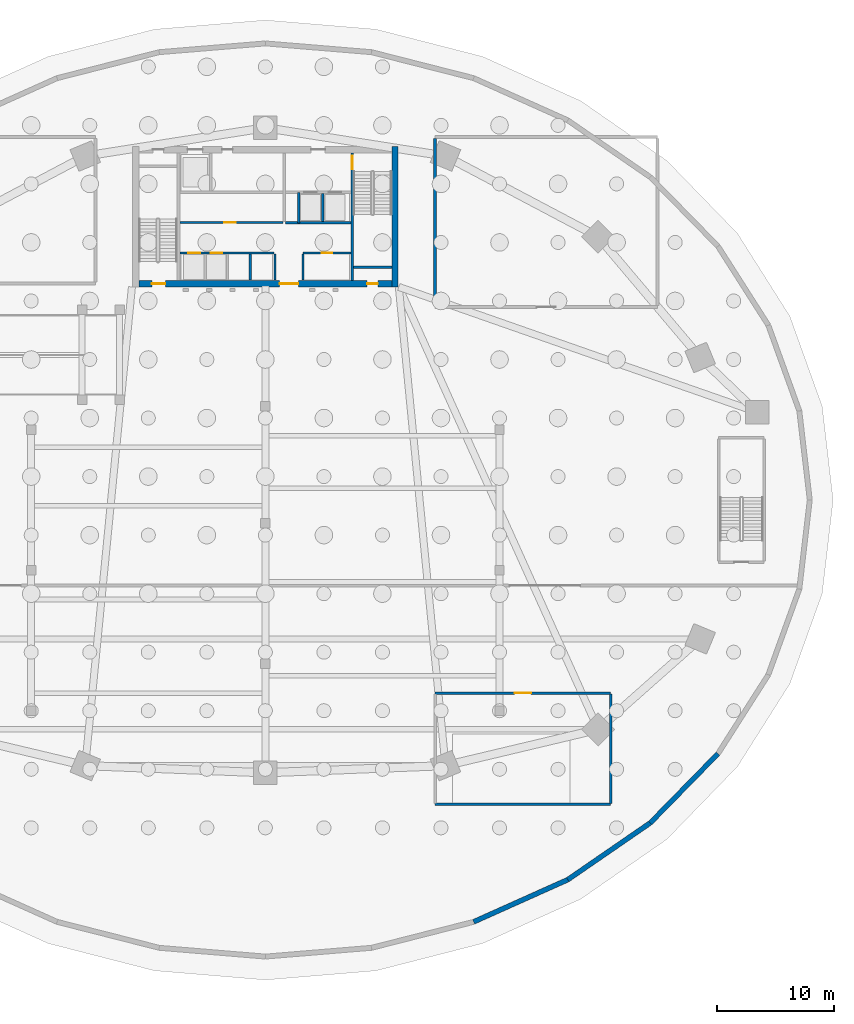
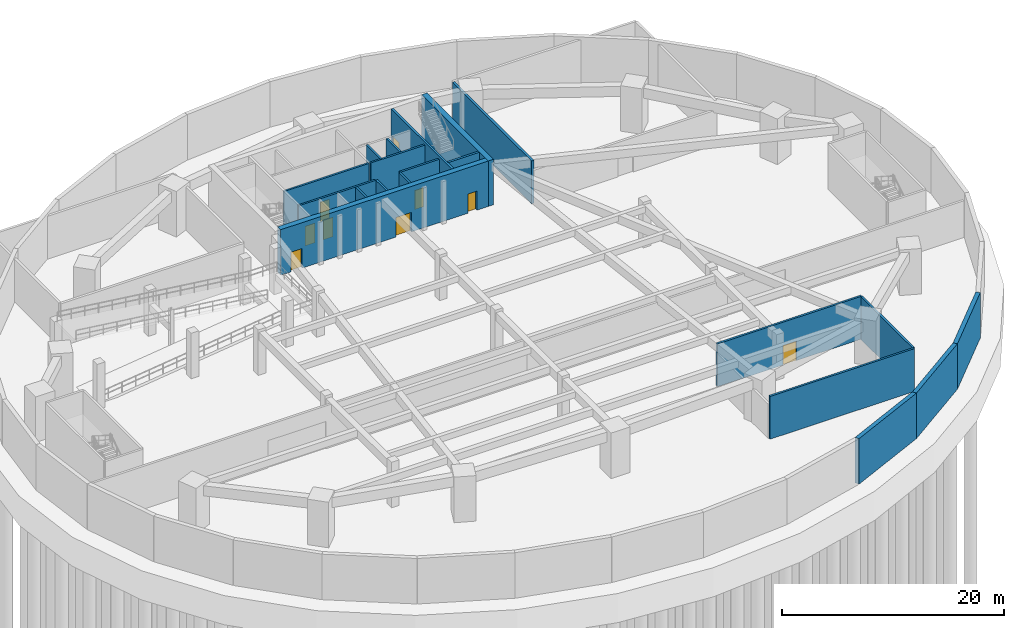
# One storey, part 5 of 11: 20 walls, 9 doors, 9 openings.
"""IFC4 building model written with IfcOpenShell, lengths in metres."""

from ifc_helpers import new_model, si_unit, direction, frame, frame_2d, origin, place, context, subcontext, project, spatial, rectangle, extrude, source, transform, mapped, material, layer, layer_set, type_object, type_shapes, element, fill, save


model = new_model("IFC4")

# Units and contexts
model_context = context("Model", 3, precision=1e-05, world=origin(), true_north=direction((0.0, 1.0)))
body_context = subcontext(model_context, "Body", "Model", "MODEL_VIEW")
ifc_project = project(units=[si_unit("LENGTHUNIT", "METRE"), si_unit("AREAUNIT", "SQUARE_METRE"), si_unit("VOLUMEUNIT", "CUBIC_METRE"), si_unit("PLANEANGLEUNIT", "RADIAN"), si_unit("MASSUNIT", "GRAM", prefix="KILO")], contexts=[model_context])

# Site, building, storey
site_placement = place(None, origin())
site = spatial("IfcSite", under=ifc_project, at=site_placement, CompositionType="ELEMENT")
building_placement = place(site_placement, origin())
building = spatial("IfcBuilding", under=site, at=building_placement, Name="Breltana Convention Tower", CompositionType="ELEMENT")
storey_placement = place(building_placement, frame((0.0, 0.0, -10.0)))
storey = spatial("IfcBuildingStorey", under=building, at=storey_placement, Name="B02", CompositionType="ELEMENT", Elevation=-10.0)

# Walls
ifc_material_1 = material(Name="Concrete C40/50", Category="concrete")
ifc_layer_1 = layer(ifc_material_1, 0.419921875, Name="Concrete C40/50")
ifc_layer_set_1 = layer_set([ifc_layer_1], Name="Concrete C40/50")
wall_type_1 = type_object("IfcWallType", Name="SW-BASE-420", PredefinedType="USERDEFINED", material=ifc_layer_set_1)
shared_shape_1 = source(origin(), body_context, "Body", "SweptSolid", [
    extrude(rectangle(XDim=8.268310546875, YDim=0.419921875, at=frame_2d((4.13427734375, 0.0))), origin(), (0.0, 0.0, 1.0), 5.0),
])
wall_1_placement = place(storey_placement, frame((80.880615234375, 14.4228515625, 0.0), z_axis=(0.0, 0.0, 1.0), x_axis=(0.699373198463, 0.714756692358, 0.0)))
element("IfcWall", 1, at=wall_1_placement, inside=storey, type_object=wall_type_1, Name="B02 Perimeter Retaining Wall 29", ObjectType="RETAININGWALL", PredefinedType="USERDEFINED", context=body_context, shape_type="MappedRepresentation", body=[
    mapped(shared_shape_1, transform((0.0, 0.0, 0.0), scale=1.0)),
])
shared_shape_2 = source(origin(), body_context, "Body", "SweptSolid", [
    extrude(rectangle(XDim=8.554443359375, YDim=0.419921875, at=frame_2d((4.27734375, 0.0))), origin(), (0.0, 0.0, 1.0), 5.0),
])
wall_2_placement = place(storey_placement, frame((73.833984375, 9.57275390625, 0.0), z_axis=(0.0, 0.0, 1.0), x_axis=(0.823739529001, 0.566968419192, 0.0)))
element("IfcWall", 2, at=wall_2_placement, inside=storey, type_object=wall_type_1, Name="B02 Perimeter Retaining Wall 28", ObjectType="RETAININGWALL", PredefinedType="USERDEFINED", context=body_context, shape_type="MappedRepresentation", body=[
    mapped(shared_shape_2, transform((0.0, 0.0, 0.0), scale=1.0)),
])
shared_shape_3 = source(origin(), body_context, "Body", "SweptSolid", [
    extrude(rectangle(XDim=8.81005859375, YDim=0.419921875, at=frame_2d((4.405029296875, 0.0))), origin(), (0.0, 0.0, 1.0), 5.0),
])
wall_3_placement = place(storey_placement, frame((65.794921875, 5.96875, 0.0), z_axis=(0.0, 0.0, 1.0), x_axis=(0.912497196731, 0.409082957305, 0.0)))
element("IfcWall", 3, at=wall_3_placement, inside=storey, type_object=wall_type_1, Name="B02 Perimeter Retaining Wall 27", ObjectType="RETAININGWALL", PredefinedType="USERDEFINED", context=body_context, shape_type="MappedRepresentation", body=[
    mapped(shared_shape_3, transform((0.0, 0.0, 0.0), scale=1.0)),
])
ifc_material_2 = material(Name="Concrete C60/75", Category="concrete")
ifc_layer_2 = layer(ifc_material_2, 0.550048828125, Name="Concrete C60/75")
ifc_layer_set_2 = layer_set([ifc_layer_2], Name="Concrete C60/75")
wall_type_2 = type_object("IfcWallType", Name="SW-CORE-550", PredefinedType="SHEAR", material=ifc_layer_set_2)
shared_shape_4 = source(origin(), body_context, "Body", "SweptSolid", [
    extrude(rectangle(XDim=12.0, YDim=0.550048828125, at=frame_2d((6.0, 0.0))), origin(), (0.0, 0.0, 1.0), 5.0),
])
type_shapes(wall_type_2, [shared_shape_4])
wall_4_placement = place(storey_placement, frame((59.074951171875, 60.199951171875, 0.0), z_axis=(0.0, 0.0, 1.0), x_axis=(0.0, 1.0, 0.0)))
element("IfcWall", 4, at=wall_4_placement, inside=storey, type_object=wall_type_2, Name="B02 East Core Shear Wall", PredefinedType="SHEAR", context=body_context, shape_type="MappedRepresentation", body=[
    mapped(shared_shape_4, transform((0.0, 0.0, 0.0), scale=1.0)),
])

# Wall, openings, doors
shared_shape_5 = source(origin(), body_context, "Body", "SweptSolid", [
    extrude(rectangle(XDim=21.60009765625, YDim=0.550048828125, at=frame_2d((10.800048828125, 0.0))), origin(), (0.0, 0.0, 1.0), 5.0),
])
wall_5_placement = place(storey_placement, frame((37.199951171875, 60.47509765625, 0.0), z_axis=(0.0, 0.0, 1.0), x_axis=(1.0, 0.0, 0.0)))
wall_5 = element("IfcWall", 5, at=wall_5_placement, inside=storey, type_object=wall_type_2, Name="B02 South Core Shear Wall", PredefinedType="SHEAR", context=body_context, shape_type="MappedRepresentation", body=[
    mapped(shared_shape_5, transform((0.0, 0.0, 0.0), scale=1.0)),
])
opening_1_placement = place(wall_5_placement, frame((1.10009765625, 0.0, 0.0)))
opening_1 = element("IfcOpeningElement", 6, at=opening_1_placement, cuts=wall_5, Name="Opening D-11", PredefinedType="OPENING", context=body_context, shape_type="SweptSolid", body=[
    extrude(rectangle(XDim=1.14990234375, YDim=2.14990234375, at=frame_2d((0.574951171875, 1.074951171875))), frame((0.0, 0.28515625, 0.0), z_axis=(0.0, -1.0, 0.0), x_axis=(1.0, 0.0, 0.0)), (0.0, 0.0, 1.0), 0.570068359375),
])
opening_2_placement = place(wall_5_placement, frame((19.5, 0.0, 0.0)))
opening_2 = element("IfcOpeningElement", 7, at=opening_2_placement, cuts=wall_5, Name="Opening D-18", PredefinedType="OPENING", context=body_context, shape_type="SweptSolid", body=[
    extrude(rectangle(XDim=0.89990234375, YDim=2.10009765625, at=frame_2d((0.449951171875, 1.050048828125))), frame((0.0, 0.28515625, 0.0), z_axis=(0.0, -1.0, 0.0), x_axis=(1.0, 0.0, 0.0)), (0.0, 0.0, 1.0), 0.570068359375),
])
opening_3_placement = place(wall_5_placement, frame((12.02001953125, 0.0, 0.0)))
opening_3 = element("IfcOpeningElement", 8, at=opening_3_placement, cuts=wall_5, Name="Opening D-02", PredefinedType="OPENING", context=body_context, shape_type="SweptSolid", body=[
    extrude(rectangle(XDim=1.60009765625, YDim=2.14990234375, at=frame_2d((0.800048828125, 1.074951171875))), frame((0.0, 0.28515625, 0.0), z_axis=(0.0, -1.0, 0.0), x_axis=(1.0, 0.0, 0.0)), (0.0, 0.0, 1.0), 0.570068359375),
])
ifc_material_3 = material(Name="Steel Stair Exit Door", Category="steel")
door_type_1 = type_object("IfcDoorType", Name="DR-FD120-1150", OperationType="NOTDEFINED", PredefinedType="DOOR", material=ifc_material_3)
shared_shape_6 = source(origin(), body_context, "Body", "SweptSolid", [
    extrude(rectangle(XDim=1.14990234375, YDim=2.14990234375, at=frame_2d((0.574951171875, 1.074951171875))), frame((0.0, 0.02490234375, 0.0), z_axis=(0.0, -1.0, 0.0), x_axis=(1.0, 0.0, 0.0)), (0.0, 0.0, 1.0), 0.050048828125),
])
type_shapes(door_type_1, [shared_shape_6])
door_1_placement = place(opening_1_placement, origin())
door_1 = element("IfcDoor", 9, at=door_1_placement, inside=storey, type_object=door_type_1, Name="B02 interior door D-B02-ST1", OperationType="SINGLE_SWING_LEFT", OverallHeight=2.14990234375, OverallWidth=1.14990234375, PredefinedType="DOOR", context=body_context, shape_type="MappedRepresentation", body=[
    mapped(shared_shape_6, transform((0.0, 0.0, 0.0), scale=1.0)),
])
fill(opening_1, door_1)
ifc_material_4 = material(Name="Steel Riser Fire Door", Category="steel")
door_type_2 = type_object("IfcDoorType", Name="DR-FD60-900", OperationType="NOTDEFINED", PredefinedType="DOOR", material=ifc_material_4)
shared_shape_7 = source(origin(), body_context, "Body", "SweptSolid", [
    extrude(rectangle(XDim=0.89990234375, YDim=2.10009765625, at=frame_2d((0.449951171875, 1.050048828125))), frame((0.0, 0.02490234375, 0.0), z_axis=(0.0, -1.0, 0.0), x_axis=(1.0, 0.0, 0.0)), (0.0, 0.0, 1.0), 0.050048828125),
])
type_shapes(door_type_2, [shared_shape_7])
door_2_placement = place(opening_2_placement, origin())
door_2 = element("IfcDoor", 10, at=door_2_placement, inside=storey, type_object=door_type_2, Name="B02 Core Riser Access Door D-B02-RS2", OperationType="SINGLE_SWING_RIGHT", OverallHeight=2.10009765625, OverallWidth=0.89990234375, PredefinedType="DOOR", context=body_context, shape_type="MappedRepresentation", body=[
    mapped(shared_shape_7, transform((0.0, 0.0, 0.0), scale=1.0)),
])
fill(opening_2, door_2)
ifc_material_5 = material(Name="Steel Glazed Smoke-Control Door", Category="steel")
door_type_3 = type_object("IfcDoorType", Name="DR-DBL-FD90-1600", OperationType="DOUBLE_DOOR_SINGLE_SWING", PredefinedType="DOOR", material=ifc_material_5)
shared_shape_8 = source(origin(), body_context, "Body", "SweptSolid", [
    extrude(rectangle(XDim=1.60009765625, YDim=2.14990234375, at=frame_2d((0.800048828125, 1.074951171875))), frame((0.0, 0.02490234375, 0.0), z_axis=(0.0, -1.0, 0.0), x_axis=(1.0, 0.0, 0.0)), (0.0, 0.0, 1.0), 0.050048828125),
])
type_shapes(door_type_3, [shared_shape_8])
door_3_placement = place(opening_3_placement, origin())
door_3 = element("IfcDoor", 11, at=door_3_placement, inside=storey, type_object=door_type_3, Name="B02 interior door D-B02-LLB-S", OperationType="DOUBLE_DOOR_SINGLE_SWING", OverallHeight=2.14990234375, OverallWidth=1.60009765625, PredefinedType="DOOR", context=body_context, shape_type="MappedRepresentation", body=[
    mapped(shared_shape_8, transform((0.0, 0.0, 0.0), scale=1.0)),
])
fill(opening_3, door_3)

# Wall
ifc_material_6 = material(Name="Concrete C50/60", Category="concrete")
ifc_layer_3 = layer(ifc_material_6, 0.39990234375, Name="Concrete C50/60")
ifc_layer_set_3 = layer_set([ifc_layer_3], Name="Concrete C50/60")
wall_type_3 = type_object("IfcWallType", Name="SW-CORE-400", PredefinedType="SHEAR", material=ifc_layer_set_3)
shared_shape_9 = source(origin(), body_context, "Body", "SweptSolid", [
    extrude(rectangle(XDim=3.27001953125, YDim=0.219970703125, at=frame_2d((1.635009765625, 0.0))), origin(), (0.0, 0.0, 1.0), 5.0),
])
type_shapes(wall_type_3, [shared_shape_9])
wall_6_placement = place(storey_placement, frame((55.530029296875, 61.889892578125, 0.0), z_axis=(0.0, 0.0, 1.0), x_axis=(1.0, 0.0, 0.0)))
element("IfcWall", 12, at=wall_6_placement, inside=storey, type_object=wall_type_3, Name="B02 ST-2 Stairwell South Bearing Wall", PredefinedType="SHEAR", context=body_context, shape_type="MappedRepresentation", body=[
    mapped(shared_shape_9, transform((0.0, 0.0, 0.0), scale=1.0)),
])

# Wall, opening, door
shared_shape_10 = source(origin(), body_context, "Body", "SweptSolid", [
    extrude(rectangle(XDim=10.89990234375, YDim=0.219970703125, at=frame_2d((5.449951171875, 0.0))), origin(), (0.0, 0.0, 1.0), 5.0),
])
wall_7_placement = place(storey_placement, frame((55.419921875, 60.75, 0.0), z_axis=(0.0, 0.0, 1.0), x_axis=(0.0, 1.0, 0.0)))
wall_7 = element("IfcWall", 13, at=wall_7_placement, inside=storey, type_object=wall_type_3, Name="B02 Core East Stair Spine Wall", PredefinedType="SHEAR", context=body_context, shape_type="MappedRepresentation", body=[
    mapped(shared_shape_10, transform((0.0, 0.0, 0.0), scale=1.0)),
])
opening_4_placement = place(wall_7_placement, frame((9.4951171875, 0.0, 0.0)))
opening_4 = element("IfcOpeningElement", 14, at=opening_4_placement, cuts=wall_7, Name="Opening D-11", PredefinedType="OPENING", context=body_context, shape_type="SweptSolid", body=[
    extrude(rectangle(XDim=1.14990234375, YDim=2.14990234375, at=frame_2d((0.574951171875, 1.074951171875))), frame((0.0, 0.1201171875, 0.0), z_axis=(0.0, -1.0, 0.0), x_axis=(1.0, 0.0, 0.0)), (0.0, 0.0, 1.0), 0.239990234375),
])
door_4_placement = place(opening_4_placement, origin())
door_4 = element("IfcDoor", 15, at=door_4_placement, inside=storey, type_object=door_type_1, Name="B02 interior door D-B02-ST2", OperationType="SINGLE_SWING_LEFT", OverallHeight=2.14990234375, OverallWidth=1.14990234375, PredefinedType="DOOR", context=body_context, shape_type="MappedRepresentation", body=[
    mapped(shared_shape_6, transform((0.0, 0.0, 0.0), scale=1.0)),
])
fill(opening_4, door_4)

# Walls
ifc_material_7 = material(Name="Autoclaved Aerated Concrete Block", Category="concrete")
ifc_layer_4 = layer(ifc_material_7, 0.199951171875, Name="Autoclaved Aerated Concrete Block")
ifc_layer_set_4 = layer_set([ifc_layer_4], Name="Autoclaved Aerated Concrete Block")
wall_type_4 = type_object("IfcWallType", Name="WL-SHAFT-200", PredefinedType="SOLIDWALL", material=ifc_layer_set_4)
shared_shape_11 = source(origin(), body_context, "Body", "SweptSolid", [
    extrude(rectangle(XDim=2.239990234375, YDim=0.199951171875, at=frame_2d((1.1201171875, 0.0))), origin(), (0.0, 0.0, 1.0), 4.699951171875),
])
type_shapes(wall_type_4, [shared_shape_11])
for number, where, z_axis, x_axis, name in (
    (16, (48.820068359375, 60.780029296875, 0.0), (0.0, 0.0, 1.0), (0.0, 1.0, 0.0), "B02 interior partition W-B02-PORT-W"),
    (17, (51.219970703125, 60.780029296875, 0.0), (0.0, 0.0, 1.0), (0.0, 1.0, 0.0), "B02 interior partition W-B02-PORT-E"),
):
    element("IfcWall", number, at=place(storey_placement, frame(where, z_axis=z_axis, x_axis=x_axis)), inside=storey, type_object=wall_type_4, Name=name, PredefinedType="SOLIDWALL", context=body_context, shape_type="MappedRepresentation", body=[
        mapped(shared_shape_11, transform((0.0, 0.0, 0.0), scale=1.0)),
    ])
shared_shape_12 = source(origin(), body_context, "Body", "SweptSolid", [
    extrude(rectangle(XDim=5.6201171875, YDim=0.199951171875, at=frame_2d((2.81005859375, 0.0))), origin(), (0.0, 0.0, 1.0), 4.699951171875),
])
wall_8_placement = place(storey_placement, frame((49.699951171875, 65.679931640625, 0.0), z_axis=(0.0, 0.0, 1.0), x_axis=(1.0, 0.0, 0.0)))
element("IfcWall", 18, at=wall_8_placement, inside=storey, type_object=wall_type_4, Name="B02 interior partition W-B02-FL-S", PredefinedType="SOLIDWALL", context=body_context, shape_type="MappedRepresentation", body=[
    mapped(shared_shape_12, transform((0.0, 0.0, 0.0), scale=1.0)),
])
shared_shape_13 = source(origin(), body_context, "Body", "SweptSolid", [
    extrude(rectangle(XDim=2.580078125, YDim=0.199951171875, at=frame_2d((1.2900390625, 0.0))), origin(), (0.0, 0.0, 1.0), 4.699951171875),
])
wall_9_placement = place(storey_placement, frame((50.85009765625, 65.679931640625, 0.0), z_axis=(0.0, 0.0, 1.0), x_axis=(0.0, 1.0, 0.0)))
element("IfcWall", 19, at=wall_9_placement, inside=storey, type_object=wall_type_4, Name="B02 interior partition W-B02-FL-W", PredefinedType="SOLIDWALL", context=body_context, shape_type="MappedRepresentation", body=[
    mapped(shared_shape_13, transform((0.0, 0.0, 0.0), scale=1.0)),
])
shared_shape_14 = source(origin(), body_context, "Body", "SweptSolid", [
    extrude(rectangle(XDim=2.39990234375, YDim=0.199951171875, at=frame_2d((1.199951171875, 0.0))), origin(), (0.0, 0.0, 1.0), 4.699951171875),
])
wall_10_placement = place(storey_placement, frame((52.89990234375, 65.800048828125, 0.0), z_axis=(0.0, 0.0, 1.0), x_axis=(0.0, 1.0, 0.0)))
element("IfcWall", 20, at=wall_10_placement, inside=storey, type_object=wall_type_4, Name="B02 interior partition W-B02-FL-DIV", PredefinedType="SOLIDWALL", context=body_context, shape_type="MappedRepresentation", body=[
    mapped(shared_shape_14, transform((0.0, 0.0, 0.0), scale=1.0)),
])

# Wall, opening, door
shared_shape_15 = source(origin(), body_context, "Body", "SweptSolid", [
    extrude(rectangle(XDim=8.800048828125, YDim=0.199951171875, at=frame_2d((4.39990234375, 0.0))), origin(), (0.0, 0.0, 1.0), 4.699951171875),
])
wall_11_placement = place(storey_placement, frame((40.699951171875, 65.699951171875, 0.0), z_axis=(0.0, 0.0, 1.0), x_axis=(1.0, 0.0, 0.0)))
wall_11 = element("IfcWall", 21, at=wall_11_placement, inside=storey, type_object=wall_type_4, Name="B02 interior partition W-B02-SH-M-FRONT", PredefinedType="SOLIDWALL", context=body_context, shape_type="MappedRepresentation", body=[
    mapped(shared_shape_15, transform((0.0, 0.0, 0.0), scale=1.0)),
])
opening_5_placement = place(wall_11_placement, frame((3.800048828125, 0.0, 0.0)))
opening_5 = element("IfcOpeningElement", 22, at=opening_5_placement, cuts=wall_11, Name="Opening D-14", PredefinedType="OPENING", context=body_context, shape_type="SweptSolid", body=[
    extrude(rectangle(XDim=0.949951171875, YDim=2.14990234375, at=frame_2d((0.47509765625, 1.074951171875))), frame((0.0, 0.10986328125, 0.0), z_axis=(0.0, -1.0, 0.0), x_axis=(1.0, 0.0, 0.0)), (0.0, 0.0, 1.0), 0.219970703125),
])
ifc_material_8 = material(Name="Timber Solid-Core Fire Door", Category="wood")
door_type_4 = type_object("IfcDoorType", Name="DR-FD60-950", OperationType="NOTDEFINED", PredefinedType="DOOR", material=ifc_material_8)
shared_shape_16 = source(origin(), body_context, "Body", "SweptSolid", [
    extrude(rectangle(XDim=0.949951171875, YDim=2.14990234375, at=frame_2d((0.47509765625, 1.074951171875))), frame((0.0, 0.02490234375, 0.0), z_axis=(0.0, -1.0, 0.0), x_axis=(1.0, 0.0, 0.0)), (0.0, 0.0, 1.0), 0.050048828125),
])
type_shapes(door_type_4, [shared_shape_16])
door_5_placement = place(opening_5_placement, origin())
door_5 = element("IfcDoor", 23, at=door_5_placement, inside=storey, type_object=door_type_4, Name="B02 interior door D-B02-LV7-B2A", OperationType="SINGLE_SWING_RIGHT", OverallHeight=2.14990234375, OverallWidth=0.949951171875, PredefinedType="DOOR", context=body_context, shape_type="MappedRepresentation", body=[
    mapped(shared_shape_16, transform((0.0, 0.0, 0.0), scale=1.0)),
])
fill(opening_5, door_5)

# Wall, openings, doors
shared_shape_17 = source(origin(), body_context, "Body", "SweptSolid", [
    extrude(rectangle(XDim=8.02001953125, YDim=0.199951171875, at=frame_2d((4.010009765625, 0.0))), origin(), (0.0, 0.0, 1.0), 4.699951171875),
])
wall_12_placement = place(storey_placement, frame((40.699951171875, 63.10009765625, 0.0), z_axis=(0.0, 0.0, 1.0), x_axis=(1.0, 0.0, 0.0)))
wall_12 = element("IfcWall", 24, at=wall_12_placement, inside=storey, type_object=wall_type_4, Name="B02 interior partition W-B02-SH-S-FRONT", PredefinedType="SOLIDWALL", context=body_context, shape_type="MappedRepresentation", body=[
    mapped(shared_shape_17, transform((0.0, 0.0, 0.0), scale=1.0)),
])
opening_6_placement = place(wall_12_placement, frame((0.719970703125, 0.0, 0.0)))
opening_6 = element("IfcOpeningElement", 25, at=opening_6_placement, cuts=wall_12, Name="Opening LD-04", PredefinedType="OPENING", context=body_context, shape_type="SweptSolid", body=[
    extrude(rectangle(XDim=1.0, YDim=2.14990234375, at=frame_2d((0.5, 1.074951171875))), frame((0.0, 0.10986328125, 0.0), z_axis=(0.0, -1.0, 0.0), x_axis=(1.0, 0.0, 0.0)), (0.0, 0.0, 1.0), 0.219970703125),
])
opening_7_placement = place(wall_12_placement, frame((2.6201171875, 0.0, 0.0)))
opening_7 = element("IfcOpeningElement", 26, at=opening_7_placement, cuts=wall_12, Name="Opening LD-04", PredefinedType="OPENING", context=body_context, shape_type="SweptSolid", body=[
    extrude(rectangle(XDim=1.0, YDim=2.14990234375, at=frame_2d((0.5, 1.074951171875))), frame((0.0, 0.10986328125, 0.0), z_axis=(0.0, -1.0, 0.0), x_axis=(1.0, 0.0, 0.0)), (0.0, 0.0, 1.0), 0.219970703125),
])
ifc_material_9 = material(Name="Stainless Steel Brushed", Category="steel")
door_type_5 = type_object("IfcDoorType", Name="DR-LD-PAX-1000", OperationType="DOUBLE_DOOR_SLIDING", PredefinedType="DOOR", material=ifc_material_9)
shared_shape_18 = source(origin(), body_context, "Body", "SweptSolid", [
    extrude(rectangle(XDim=1.0, YDim=2.14990234375, at=frame_2d((0.5, 1.074951171875))), frame((0.0, 0.02490234375, 0.0), z_axis=(0.0, -1.0, 0.0), x_axis=(1.0, 0.0, 0.0)), (0.0, 0.0, 1.0), 0.050048828125),
])
type_shapes(door_type_5, [shared_shape_18])
door_6_placement = place(opening_6_placement, origin())
door_6 = element("IfcDoor", 27, at=door_6_placement, inside=storey, type_object=door_type_5, Name="B02 Lift Landing Door D-B02-LD-S1", OperationType="DOUBLE_DOOR_SLIDING", OverallHeight=2.14990234375, OverallWidth=1.0, PredefinedType="DOOR", context=body_context, shape_type="MappedRepresentation", body=[
    mapped(shared_shape_18, transform((0.0, 0.0, 0.0), scale=1.0)),
])
fill(opening_6, door_6)
door_7_placement = place(opening_7_placement, origin())
door_7 = element("IfcDoor", 28, at=door_7_placement, inside=storey, type_object=door_type_5, Name="B02 Lift Landing Door D-B02-LD-S2", OperationType="DOUBLE_DOOR_SLIDING", OverallHeight=2.14990234375, OverallWidth=1.0, PredefinedType="DOOR", context=body_context, shape_type="MappedRepresentation", body=[
    mapped(shared_shape_18, transform((0.0, 0.0, 0.0), scale=1.0)),
])
fill(opening_7, door_7)

# Wall, opening, door
shared_shape_19 = source(origin(), body_context, "Body", "SweptSolid", [
    extrude(rectangle(XDim=4.10009765625, YDim=0.199951171875, at=frame_2d((2.050048828125, 0.0))), origin(), (0.0, 0.0, 1.0), 4.699951171875),
])
wall_13_placement = place(storey_placement, frame((51.219970703125, 63.10009765625, 0.0), z_axis=(0.0, 0.0, 1.0), x_axis=(1.0, 0.0, 0.0)))
wall_13 = element("IfcWall", 29, at=wall_13_placement, inside=storey, type_object=wall_type_4, Name="B02 interior partition W-B02-SH-X-FRONT", PredefinedType="SOLIDWALL", context=body_context, shape_type="MappedRepresentation", body=[
    mapped(shared_shape_19, transform((0.0, 0.0, 0.0), scale=1.0)),
])
opening_8_placement = place(wall_13_placement, frame((1.60009765625, 0.0, 0.0)))
opening_8 = element("IfcOpeningElement", 30, at=opening_8_placement, cuts=wall_13, Name="Opening D-18", PredefinedType="OPENING", context=body_context, shape_type="SweptSolid", body=[
    extrude(rectangle(XDim=0.89990234375, YDim=2.10009765625, at=frame_2d((0.449951171875, 1.050048828125))), frame((0.0, 0.10986328125, 0.0), z_axis=(0.0, -1.0, 0.0), x_axis=(1.0, 0.0, 0.0)), (0.0, 0.0, 1.0), 0.219970703125),
])
door_8_placement = place(opening_8_placement, origin())
door_8 = element("IfcDoor", 31, at=door_8_placement, inside=storey, type_object=door_type_2, Name="B02 interior door D-B02-SH-X-RM", OperationType="SINGLE_SWING_LEFT", OverallHeight=2.10009765625, OverallWidth=0.89990234375, PredefinedType="DOOR", context=body_context, shape_type="MappedRepresentation", body=[
    mapped(shared_shape_7, transform((0.0, 0.0, 0.0), scale=1.0)),
])
fill(opening_8, door_8)

# Walls
shared_shape_20 = source(origin(), body_context, "Body", "SweptSolid", [
    extrude(rectangle(XDim=2.199951171875, YDim=0.199951171875, at=frame_2d((1.10009765625, 0.0))), origin(), (0.0, 0.0, 1.0), 4.699951171875),
])
wall_14_placement = place(storey_placement, frame((46.699951171875, 60.800048828125, 0.0), z_axis=(0.0, 0.0, 1.0), x_axis=(0.0, 1.0, 0.0)))
element("IfcWall", 32, at=wall_14_placement, inside=storey, type_object=wall_type_4, Name="B02 interior partition W-B02-SH-S-DIV3", PredefinedType="SOLIDWALL", context=body_context, shape_type="MappedRepresentation", body=[
    mapped(shared_shape_20, transform((0.0, 0.0, 0.0), scale=1.0)),
])
ifc_material_10 = material(Name="Gypsum Acoustic Double Stud Wall")
ifc_layer_5 = layer(ifc_material_10, 0.25, Name="Gypsum Acoustic Double Stud Wall")
ifc_layer_set_5 = layer_set([ifc_layer_5], Name="Gypsum Acoustic Double Stud Wall")
wall_type_5 = type_object("IfcWallType", Name="WL-ACOUSTIC-250", PredefinedType="PARTITIONING", material=ifc_layer_set_5)
shared_shape_21 = source(origin(), body_context, "Body", "SweptSolid", [
    extrude(rectangle(XDim=14.27490234375, YDim=0.25, at=frame_2d((7.137451171875, 0.0))), origin(), (0.0, 0.0, 1.0), 4.699951171875),
])
wall_15_placement = place(storey_placement, frame((62.5, 58.612548828125, 0.0), z_axis=(0.0, 0.0, 1.0), x_axis=(0.0, 1.0, 0.0)))
element("IfcWall", 33, at=wall_15_placement, inside=storey, type_object=wall_type_5, Name="B02 interior partition W-B02-PLT1-W", PredefinedType="PARTITIONING", context=body_context, shape_type="MappedRepresentation", body=[
    mapped(shared_shape_21, transform((0.0, 0.0, 0.0), scale=1.0)),
])
ifc_material_11 = material(Name="Autoclaved Aerated Masonry Blockwork", Category="masonry")
ifc_layer_6 = layer(ifc_material_11, 0.2099609375, Name="Autoclaved Aerated Masonry Blockwork")
ifc_layer_set_6 = layer_set([ifc_layer_6], Name="Autoclaved Aerated Masonry Blockwork")
wall_type_6 = type_object("IfcWallType", Name="WL-PART-200", PredefinedType="PARTITIONING", material=ifc_layer_set_6)
shared_shape_22 = source(origin(), body_context, "Body", "SweptSolid", [
    extrude(rectangle(XDim=15.0, YDim=0.2099609375, at=frame_2d((7.5, 0.0))), origin(), (0.0, 0.0, 1.0), 4.699951171875),
])
type_shapes(wall_type_6, [shared_shape_22])
wall_16_placement = place(storey_placement, frame((62.5, 16.0, 0.0), z_axis=(0.0, 0.0, 1.0), x_axis=(1.0, 0.0, 0.0)))
element("IfcWall", 34, at=wall_16_placement, inside=storey, type_object=wall_type_6, Name="B02 interior partition W-B02-PLT3-S", PredefinedType="PARTITIONING", context=body_context, shape_type="MappedRepresentation", body=[
    mapped(shared_shape_22, transform((0.0, 0.0, 0.0), scale=1.0)),
])

# Wall, opening, door
wall_17_placement = place(storey_placement, frame((62.5, 25.5, 0.0), z_axis=(0.0, 0.0, 1.0), x_axis=(1.0, 0.0, 0.0)))
wall_17 = element("IfcWall", 35, at=wall_17_placement, inside=storey, type_object=wall_type_6, Name="B02 interior partition W-B02-PLT3-N", PredefinedType="PARTITIONING", context=body_context, shape_type="MappedRepresentation", body=[
    mapped(shared_shape_22, transform((0.0, 0.0, 0.0), scale=1.0)),
])
opening_9_placement = place(wall_17_placement, frame((6.800048828125, 0.0, 0.0)))
opening_9 = element("IfcOpeningElement", 36, at=opening_9_placement, cuts=wall_17, Name="Opening D-06", PredefinedType="OPENING", context=body_context, shape_type="SweptSolid", body=[
    extrude(rectangle(XDim=1.39990234375, YDim=2.14990234375, at=frame_2d((0.699951171875, 1.074951171875))), frame((0.0, 0.114990234375, 0.0), z_axis=(0.0, -1.0, 0.0), x_axis=(1.0, 0.0, 0.0)), (0.0, 0.0, 1.0), 0.22998046875),
])
ifc_material_12 = material(Name="Steel Louvred Fire Plant Door", Category="steel")
door_type_6 = type_object("IfcDoorType", Name="DR-PLT-1400", OperationType="DOUBLE_DOOR_SINGLE_SWING", PredefinedType="DOOR", material=ifc_material_12)
shared_shape_23 = source(origin(), body_context, "Body", "SweptSolid", [
    extrude(rectangle(XDim=1.39990234375, YDim=2.14990234375, at=frame_2d((0.699951171875, 1.074951171875))), frame((0.0, 0.02490234375, 0.0), z_axis=(0.0, -1.0, 0.0), x_axis=(1.0, 0.0, 0.0)), (0.0, 0.0, 1.0), 0.050048828125),
])
type_shapes(door_type_6, [shared_shape_23])
door_9_placement = place(opening_9_placement, origin())
door_9 = element("IfcDoor", 37, at=door_9_placement, inside=storey, type_object=door_type_6, Name="B02 interior door D-B02-PLT3", OperationType="SINGLE_SWING_LEFT", OverallHeight=2.14990234375, OverallWidth=1.39990234375, PredefinedType="DOOR", context=body_context, shape_type="MappedRepresentation", body=[
    mapped(shared_shape_23, transform((0.0, 0.0, 0.0), scale=1.0)),
])
fill(opening_9, door_9)

# Wall
shared_shape_24 = source(origin(), body_context, "Body", "SweptSolid", [
    extrude(rectangle(XDim=9.31982421875, YDim=0.2099609375, at=frame_2d((4.659912109375, 0.0))), origin(), (0.0, 0.0, 1.0), 4.699951171875),
])
wall_18_placement = place(storey_placement, frame((77.5, 16.090087890625, 0.0), z_axis=(0.0, 0.0, 1.0), x_axis=(0.0, 1.0, 0.0)))
element("IfcWall", 38, at=wall_18_placement, inside=storey, type_object=wall_type_6, Name="B02 interior partition W-B02-PLT3-E", PredefinedType="PARTITIONING", context=body_context, shape_type="MappedRepresentation", body=[
    mapped(shared_shape_24, transform((0.0, 0.0, 0.0), scale=1.0)),
])

save(model, "model.ifc")
